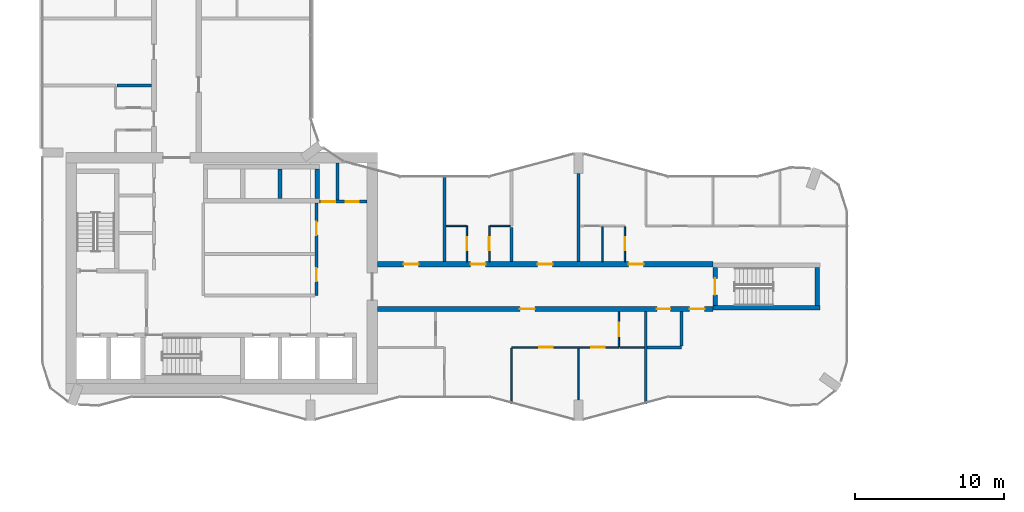
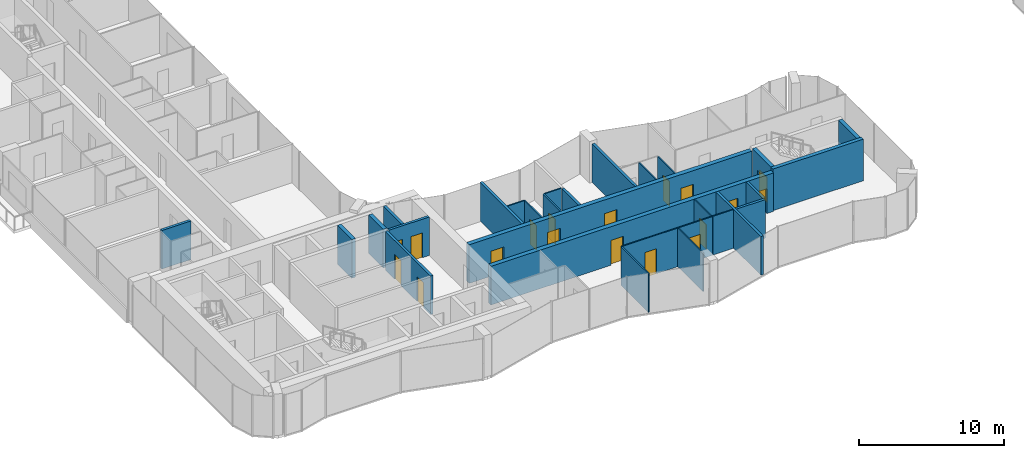
# One storey, part 14 of 22: 28 walls, 18 doors, 18 openings.
"""IFC4 building model written with IfcOpenShell, lengths in metres."""

import ifcopenshell
import ifcopenshell.guid

model = None  # the IFC model being written
_history = None  # IfcOwnerHistory: only IFC2X3 demands one
_inside = {}  # id of a spatial element -> (the spatial element, [elements in it])
_under = {}  # id of a project, library or spatial element -> (it, [spatial elements below it])
_declared = {}  # id of a project -> (the project, [libraries it declares])
_typed = {}  # id of a type object -> (the type object, [elements of that type])
_made_of = {}  # id of a material, layer set ... -> (it, [elements and type objects made of it])


def new_model(schema):
    """Start an empty IFC model of exactly this schema.

    Asked for "IFC4X3", IfcOpenShell would pick the latest addendum, in which some entities
    have other attributes; the version numbers below select the first issue.
    IFC2X3 requires an IfcOwnerHistory on every rooted entity: one is made here for all.
    """
    global model, _history
    if schema == "IFC4X3":
        model = ifcopenshell.file(schema_version=(4, 3, 0, 0))
    else:
        model = ifcopenshell.file(schema=schema)
    _inside.clear()
    _under.clear()
    _declared.clear()
    _typed.clear()
    _made_of.clear()
    _history = None
    if model.schema == "IFC2X3":
        org = make("IfcOrganization", Name="unknown")
        user = make(
            "IfcPersonAndOrganization",
            ThePerson=make("IfcPerson", FamilyName="unknown"),
            TheOrganization=org,
        )
        app = make(
            "IfcApplication",
            ApplicationDeveloper=org,
            Version="unknown",
            ApplicationFullName="unknown",
            ApplicationIdentifier="unknown",
        )
        _history = make(
            "IfcOwnerHistory",
            OwningUser=user,
            OwningApplication=app,
            ChangeAction="ADDED",
            CreationDate=0,
        )
    return model


def make(cls, **values):
    """One entity of the class cls with the attributes given. An attribute that is None is left unset."""
    return model.create_entity(
        cls, **{name: value for name, value in values.items() if value is not None}
    )


def rooted(cls, **values):
    """An entity with a GlobalId (a new one), such as an element, a storey or a relation."""
    return make(cls, GlobalId=ifcopenshell.guid.new(), OwnerHistory=_history, **values)


def si_unit(unit_type, name, prefix=None):
    """IfcSIUnit, for example si_unit("LENGTHUNIT", "METRE", prefix="MILLI")."""
    return make("IfcSIUnit", UnitType=unit_type, Prefix=prefix, Name=name)


def assignment(units):
    """IfcUnitAssignment: the units of a project."""
    return None if units is None else make("IfcUnitAssignment", Units=units)


def point(xyz):
    """IfcCartesianPoint."""
    return None if xyz is None else make("IfcCartesianPoint", Coordinates=xyz)


def direction(xyz):
    """IfcDirection."""
    return None if xyz is None else make("IfcDirection", DirectionRatios=xyz)


def frame(location, z_axis=None, x_axis=None):
    """IfcAxis2Placement3D, a coordinate frame: its origin and axes. An axis left out is left unset."""
    return make(
        "IfcAxis2Placement3D",
        Location=point(location),
        Axis=direction(z_axis),
        RefDirection=direction(x_axis),
    )


def frame_2d(location, x_axis=None):
    """IfcAxis2Placement2D, a coordinate frame in the plane: its origin and x axis."""
    return make(
        "IfcAxis2Placement2D", Location=point(location), RefDirection=direction(x_axis)
    )


def origin():
    """The frame at (0, 0, 0) with its axes left unset."""
    return frame((0.0, 0.0, 0.0))


def place(relative_to, where):
    """IfcLocalPlacement: puts the frame where relative to a parent placement (None: the world)."""
    return make(
        "IfcLocalPlacement", PlacementRelTo=relative_to, RelativePlacement=where
    )


def context(
    kind, dimensions, precision=None, world=None, true_north=None, identifier=None
):
    """IfcGeometricRepresentationContext, for example the 3D "Model" context."""
    return make(
        "IfcGeometricRepresentationContext",
        ContextIdentifier=identifier,
        ContextType=kind,
        CoordinateSpaceDimension=dimensions,
        Precision=precision,
        WorldCoordinateSystem=world,
        TrueNorth=true_north,
    )


def subcontext(parent, identifier, kind, view, scale=None):
    """IfcGeometricRepresentationSubContext, for example "Body" below "Model"."""
    return make(
        "IfcGeometricRepresentationSubContext",
        ContextIdentifier=identifier,
        ContextType=kind,
        ParentContext=parent,
        TargetScale=scale,
        TargetView=view,
    )


def project(units=None, contexts=None):
    """IfcProject with its units and contexts."""
    return rooted(
        "IfcProject",
        Name="project",
        RepresentationContexts=contexts,
        UnitsInContext=assignment(units),
    )


def spatial(cls, under=None, at=None, **own):
    """A site, building, storey or space (cls), placed at a placement, below another one or the project."""
    s = rooted(cls, ObjectPlacement=at, **own)
    if under is not None:
        _under.setdefault(under.id(), (under, []))[1].append(s)
    return s


def profile(cls, at=None, kind="AREA", **sizes):
    """A parametric profile (cls). Its sizes go by their IFC names, for example OverallWidth=200.0."""
    return make(cls, ProfileType=kind, Position=at, **sizes)


def rectangle(**sizes):
    """IfcRectangleProfileDef."""
    return profile("IfcRectangleProfileDef", **sizes)


def extrude(swept, where, along, depth):
    """IfcExtrudedAreaSolid: the profile swept, set in the frame where, extruded along a direction by depth."""
    return make(
        "IfcExtrudedAreaSolid",
        SweptArea=swept,
        Position=where,
        ExtrudedDirection=direction(along),
        Depth=depth,
    )


def shape(context_of_items, identifier, shape_type, items):
    """IfcShapeRepresentation: the items that make up one representation, for example the "Body"."""
    return make(
        "IfcShapeRepresentation",
        ContextOfItems=context_of_items,
        RepresentationIdentifier=identifier,
        RepresentationType=shape_type,
        Items=items,
    )


def material(Name=None, Category=None):
    """IfcMaterial."""
    return make("IfcMaterial", Name=Name, Category=Category)


def layer(
    of_material, thickness, ventilated=None, Name=None, Category=None, Priority=None
):
    """IfcMaterialLayer: one layer of a wall or slab, of a material (None: an air gap)."""
    return make(
        "IfcMaterialLayer",
        Material=of_material,
        LayerThickness=thickness,
        IsVentilated=ventilated,
        Name=Name,
        Category=Category,
        Priority=Priority,
    )


def layer_set(layers, Name=None):
    """IfcMaterialLayerSet."""
    return make("IfcMaterialLayerSet", MaterialLayers=layers, LayerSetName=Name)


def made_of(thing, what):
    """Note that an element or type object is made of a material, layer set ...; save() writes the relation."""
    if what is not None:
        _made_of.setdefault(what.id(), (what, []))[1].append(thing)
    return thing


def type_object(cls, material=None, **own):
    """A type object (cls), such as IfcWallType, which elements share."""
    return made_of(rooted(cls, **own), material)


def element(
    cls,
    number,
    at=None,
    inside=None,
    cuts=None,
    type_object=None,
    material=None,
    context=None,
    identifier="Body",
    shape_type=None,
    held_by="IfcProductDefinitionShape",
    body=None,
    shapes=None,
    **own,
):
    """One element of the class cls, such as IfcWall. Its Tag is "e" and its number.

    at: its placement. inside: the storey or other place that contains it. cuts: it is an
    opening in that element (IfcRelVoidsElement). A single representation is given by context,
    identifier, shape_type and body (its items); several are given by shapes. held_by: the class
    of the entity that holds the representations. save() writes the other relations.
    """
    e = rooted(cls, Tag="e%d" % number, ObjectPlacement=at, **own)
    if body is not None:
        shapes = [shape(context, identifier, shape_type, body)]
    if shapes is not None:
        e.Representation = make(held_by, Representations=shapes)
    if inside is not None:
        _inside.setdefault(inside.id(), (inside, []))[1].append(e)
    if cuts is not None:
        rooted(
            "IfcRelVoidsElement", RelatingBuildingElement=cuts, RelatedOpeningElement=e
        )
    if type_object is not None:
        _typed.setdefault(type_object.id(), (type_object, []))[1].append(e)
    return made_of(e, material)


def fill(opening, filler):
    """IfcRelFillsElement: the door or window that sits in an opening."""
    return rooted(
        "IfcRelFillsElement",
        RelatingOpeningElement=opening,
        RelatedBuildingElement=filler,
    )


def aggregate(whole, parts):
    """IfcRelAggregates: a whole, such as a stair, and the parts it consists of."""
    return rooted("IfcRelAggregates", RelatingObject=whole, RelatedObjects=parts)


def save(model, path):
    """Write the relations noted so far, then the file.

    IfcRelAggregates (storeys below a building ...), IfcRelContainedInSpatialStructure (elements
    in a storey), IfcRelDefinesByType, IfcRelAssociatesMaterial and IfcRelDeclares: one each for
    every whole, place, type object, material and project.
    """
    for whole, parts in _under.values():
        aggregate(whole, parts)
    for where, things in _inside.values():
        rooted(
            "IfcRelContainedInSpatialStructure",
            RelatedElements=things,
            RelatingStructure=where,
        )
    for kind, things in _typed.values():
        rooted("IfcRelDefinesByType", RelatedObjects=things, RelatingType=kind)
    for what, things in _made_of.values():
        rooted("IfcRelAssociatesMaterial", RelatedObjects=things, RelatingMaterial=what)
    for by, libraries in _declared.values():
        rooted("IfcRelDeclares", RelatingContext=by, RelatedDefinitions=libraries)
    model.write(path)


model = new_model("IFC4")

# Units and contexts
model_context = context("Model", 3, precision=1e-05, world=origin(), true_north=direction((0.0, 1.0)))
body_context = subcontext(model_context, "Body", "Model", "MODEL_VIEW")
ifc_project = project(units=[si_unit("LENGTHUNIT", "METRE"), si_unit("AREAUNIT", "SQUARE_METRE"), si_unit("VOLUMEUNIT", "CUBIC_METRE"), si_unit("PLANEANGLEUNIT", "RADIAN"), si_unit("MASSUNIT", "GRAM", prefix="KILO")], contexts=[model_context])

# Site, building, storey
site_placement = place(None, origin())
site = spatial("IfcSite", under=ifc_project, at=site_placement, CompositionType="ELEMENT")
building_placement = place(site_placement, origin())
building = spatial("IfcBuilding", under=site, at=building_placement, Name="Plateau Cross Towers", CompositionType="ELEMENT")
storey_placement = place(building_placement, frame((0.0, 0.0, 65.300048828125)))
storey = spatial("IfcBuildingStorey", under=building, at=storey_placement, Name="L16", CompositionType="ELEMENT", Elevation=65.300048828125)

# Wall, openings, doors
ifc_material_1 = material(Name="Concrete block, plastered both sides", Category="concrete")
ifc_layer_1 = layer(ifc_material_1, 0.199951171875)
ifc_layer_set_1 = layer_set([ifc_layer_1], Name="Concrete block, plastered both sides")
wall_type_1 = type_object("IfcWallType", Name="Core partition 200", PredefinedType="PARTITIONING", material=ifc_layer_set_1)
wall_1_placement = place(storey_placement, frame((18.39990234375, 8.39990234375, 0.0), z_axis=(0.0, 0.0, 1.0), x_axis=(0.0, 1.0, 0.0)))
wall_1 = element("IfcWall", 1, at=wall_1_placement, inside=storey, type_object=wall_type_1, Name="Core partition", PredefinedType="PARTITIONING", context=body_context, shape_type="SweptSolid", body=[
    extrude(rectangle(XDim=6.2001953125, YDim=0.199951171875, at=frame_2d((3.10009765625, 0.0))), origin(), (0.0, 0.0, 1.0), 3.25),
])
opening_1_placement = place(wall_1_placement, frame((0.949951171875, 0.0, 0.0)))
opening_1 = element("IfcOpeningElement", 2, at=opening_1_placement, cuts=wall_1, Name="Opening RD1", PredefinedType="OPENING", context=body_context, shape_type="SweptSolid", body=[
    extrude(rectangle(XDim=0.89990234375, YDim=2.10009765625, at=frame_2d((0.449951171875, 1.050048828125))), frame((0.0, 0.10986328125, 0.0), z_axis=(0.0, -1.0, 0.0), x_axis=(1.0, 0.0, 0.0)), (0.0, 0.0, 1.0), 0.219970703125),
])
opening_2_placement = place(wall_1_placement, frame((4.050048828125, 0.0, 0.0)))
opening_2 = element("IfcOpeningElement", 3, at=opening_2_placement, cuts=wall_1, Name="Opening RD1", PredefinedType="OPENING", context=body_context, shape_type="SweptSolid", body=[
    extrude(rectangle(XDim=0.89990234375, YDim=2.10009765625, at=frame_2d((0.449951171875, 1.050048828125))), frame((0.0, 0.10986328125, 0.0), z_axis=(0.0, -1.0, 0.0), x_axis=(1.0, 0.0, 0.0)), (0.0, 0.0, 1.0), 0.219970703125),
])
ifc_material_2 = material(Name="Timber, fire-resisting leaf", Category="wood")
door_type_1 = type_object("IfcDoorType", Name="Core service door 900", OperationType="NOTDEFINED", PredefinedType="DOOR", material=ifc_material_2)
door_1_placement = place(opening_1_placement, origin())
door_1 = element("IfcDoor", 4, at=door_1_placement, inside=storey, type_object=door_type_1, Name="Core service door RD1", OperationType="SINGLE_SWING_LEFT", OverallHeight=2.10009765625, OverallWidth=0.89990234375, PredefinedType="DOOR", context=body_context, shape_type="SweptSolid", body=[
    extrude(rectangle(XDim=0.89990234375, YDim=2.10009765625, at=frame_2d((0.449951171875, 1.050048828125))), frame((0.0, 0.02490234375, 0.0), z_axis=(0.0, -1.0, 0.0), x_axis=(1.0, 0.0, 0.0)), (0.0, 0.0, 1.0), 0.050048828125),
])
fill(opening_1, door_1)
door_2_placement = place(opening_2_placement, origin())
door_2 = element("IfcDoor", 5, at=door_2_placement, inside=storey, type_object=door_type_1, Name="Core service door RD1", OperationType="SINGLE_SWING_LEFT", OverallHeight=2.10009765625, OverallWidth=0.89990234375, PredefinedType="DOOR", context=body_context, shape_type="SweptSolid", body=[
    extrude(rectangle(XDim=0.89990234375, YDim=2.10009765625, at=frame_2d((0.449951171875, 1.050048828125))), frame((0.0, 0.02490234375, 0.0), z_axis=(0.0, -1.0, 0.0), x_axis=(1.0, 0.0, 0.0)), (0.0, 0.0, 1.0), 0.050048828125),
])
fill(opening_2, door_2)

wall_2_placement = place(storey_placement, frame((18.60009765625, 14.699951171875, 0.0), z_axis=(0.0, 0.0, 1.0), x_axis=(1.0, 0.0, 0.0)))
wall_2 = element("IfcWall", 6, at=wall_2_placement, inside=storey, type_object=wall_type_1, Name="Core partition", PredefinedType="PARTITIONING", context=body_context, shape_type="SweptSolid", body=[
    extrude(rectangle(XDim=3.199951171875, YDim=0.199951171875, at=frame_2d((1.60009765625, 0.0))), origin(), (0.0, 0.0, 1.0), 3.25),
])
opening_3_placement = place(wall_2_placement, frame((0.14990234375, 0.0, 0.0)))
opening_3 = element("IfcOpeningElement", 7, at=opening_3_placement, cuts=wall_2, Name="Opening RD2", PredefinedType="OPENING", context=body_context, shape_type="SweptSolid", body=[
    extrude(rectangle(XDim=0.89990234375, YDim=2.10009765625, at=frame_2d((0.449951171875, 1.050048828125))), frame((0.0, 0.10986328125, 0.0), z_axis=(0.0, -1.0, 0.0), x_axis=(1.0, 0.0, 0.0)), (0.0, 0.0, 1.0), 0.219970703125),
])
opening_4_placement = place(wall_2_placement, frame((1.75, 0.0, 0.0)))
opening_4 = element("IfcOpeningElement", 8, at=opening_4_placement, cuts=wall_2, Name="Opening RD2", PredefinedType="OPENING", context=body_context, shape_type="SweptSolid", body=[
    extrude(rectangle(XDim=0.89990234375, YDim=2.10009765625, at=frame_2d((0.449951171875, 1.050048828125))), frame((0.0, 0.10986328125, 0.0), z_axis=(0.0, -1.0, 0.0), x_axis=(1.0, 0.0, 0.0)), (0.0, 0.0, 1.0), 0.219970703125),
])
ifc_material_3 = material(Name="Steel, fire-resisting leaf", Category="steel")
door_type_2 = type_object("IfcDoorType", Name="Core riser door 900", OperationType="NOTDEFINED", PredefinedType="DOOR", material=ifc_material_3)
door_3_placement = place(opening_3_placement, origin())
door_3 = element("IfcDoor", 9, at=door_3_placement, inside=storey, type_object=door_type_2, Name="Core riser door RD2", OperationType="SINGLE_SWING_LEFT", OverallHeight=2.10009765625, OverallWidth=0.89990234375, PredefinedType="DOOR", context=body_context, shape_type="SweptSolid", body=[
    extrude(rectangle(XDim=0.89990234375, YDim=2.10009765625, at=frame_2d((0.449951171875, 1.050048828125))), frame((0.0, 0.02490234375, 0.0), z_axis=(0.0, -1.0, 0.0), x_axis=(1.0, 0.0, 0.0)), (0.0, 0.0, 1.0), 0.050048828125),
])
fill(opening_3, door_3)
door_4_placement = place(opening_4_placement, origin())
door_4 = element("IfcDoor", 10, at=door_4_placement, inside=storey, type_object=door_type_2, Name="Core riser door RD2", OperationType="SINGLE_SWING_LEFT", OverallHeight=2.10009765625, OverallWidth=0.89990234375, PredefinedType="DOOR", context=body_context, shape_type="SweptSolid", body=[
    extrude(rectangle(XDim=0.89990234375, YDim=2.10009765625, at=frame_2d((0.449951171875, 1.050048828125))), frame((0.0, 0.02490234375, 0.0), z_axis=(0.0, -1.0, 0.0), x_axis=(1.0, 0.0, 0.0)), (0.0, 0.0, 1.0), 0.050048828125),
])
fill(opening_4, door_4)

# Walls
wall_3_placement = place(storey_placement, frame((19.800048828125, 14.800048828125, 0.0), z_axis=(0.0, 0.0, 1.0), x_axis=(0.0, 1.0, 0.0)))
element("IfcWall", 11, at=wall_3_placement, inside=storey, type_object=wall_type_1, Name="Core partition", PredefinedType="PARTITIONING", context=body_context, shape_type="SweptSolid", body=[
    extrude(rectangle(XDim=2.5, YDim=0.199951171875, at=frame_2d((1.25, 0.0))), origin(), (0.0, 0.0, 1.0), 3.25),
])
ifc_material_4 = material(Name="Concrete C60/75", Category="concrete")
ifc_layer_2 = layer(ifc_material_4, 0.300048828125)
ifc_layer_set_2 = layer_set([ifc_layer_2], Name="Concrete C60/75")
wall_type_2 = type_object("IfcWallType", Name="Core shaft wall 300", PredefinedType="SHEAR", material=ifc_layer_set_2)
for number, where, z_axis, x_axis, name in (
    (12, (15.949951171875, 14.89990234375, 0.0), (0.0, 0.0, 1.0), (0.0, 1.0, 0.0), "A-nb-v3@L16"),
    (13, (18.449951171875, 14.89990234375, 0.0), (0.0, 0.0, 1.0), (0.0, 1.0, 0.0), "A-nb-v4@L16"),
):
    element("IfcWall", number, at=place(storey_placement, frame(where, z_axis=z_axis, x_axis=x_axis)), inside=storey, type_object=wall_type_2, Name=name, PredefinedType="SHEAR", context=body_context, shape_type="SweptSolid", body=[
        extrude(rectangle(XDim=2.0, YDim=0.300048828125, at=frame_2d((1.0, 0.0))), origin(), (0.0, 0.0, 1.0), 3.25),
    ])

# Wall, openings, doors
ifc_layer_3 = layer(ifc_material_4, 0.35009765625)
ifc_layer_set_3 = layer_set([ifc_layer_3], Name="Concrete C60/75")
wall_type_3 = type_object("IfcWallType", Name="Corridor wall 350", PredefinedType="SHEAR", material=ifc_layer_set_3)
wall_4_placement = place(storey_placement, frame((22.5, 7.5, 0.0), z_axis=(0.0, 0.0, 1.0), x_axis=(1.0, 0.0, 0.0)))
wall_4 = element("IfcWall", 14, at=wall_4_placement, inside=storey, type_object=wall_type_3, Name="A-cw-S1@L16", PredefinedType="SHEAR", context=body_context, shape_type="SweptSolid", body=[
    extrude(rectangle(XDim=22.5, YDim=0.35009765625, at=frame_2d((11.25, 0.0))), origin(), (0.0, 0.0, 1.0), 3.25),
])
opening_5_placement = place(wall_4_placement, frame((9.550048828125, 0.0, 0.0)))
opening_5 = element("IfcOpeningElement", 15, at=opening_5_placement, cuts=wall_4, Name="Opening 16-01", PredefinedType="OPENING", context=body_context, shape_type="SweptSolid", body=[
    extrude(rectangle(XDim=1.0, YDim=2.10009765625, at=frame_2d((0.5, 1.050048828125))), frame((0.0, 0.18505859375, 0.0), z_axis=(0.0, -1.0, 0.0), x_axis=(1.0, 0.0, 0.0)), (0.0, 0.0, 1.0), 0.3701171875),
])
opening_6_placement = place(wall_4_placement, frame((18.75, 0.0, 0.0)))
opening_6 = element("IfcOpeningElement", 16, at=opening_6_placement, cuts=wall_4, Name="Opening 16-02", PredefinedType="OPENING", context=body_context, shape_type="SweptSolid", body=[
    extrude(rectangle(XDim=0.89990234375, YDim=2.10009765625, at=frame_2d((0.449951171875, 1.050048828125))), frame((0.0, 0.18505859375, 0.0), z_axis=(0.0, -1.0, 0.0), x_axis=(1.0, 0.0, 0.0)), (0.0, 0.0, 1.0), 0.3701171875),
])
opening_7_placement = place(wall_4_placement, frame((20.949951171875, 0.0, 0.0)))
opening_7 = element("IfcOpeningElement", 17, at=opening_7_placement, cuts=wall_4, Name="Opening 16-03", PredefinedType="OPENING", context=body_context, shape_type="SweptSolid", body=[
    extrude(rectangle(XDim=1.0, YDim=2.10009765625, at=frame_2d((0.5, 1.050048828125))), frame((0.0, 0.18505859375, 0.0), z_axis=(0.0, -1.0, 0.0), x_axis=(1.0, 0.0, 0.0)), (0.0, 0.0, 1.0), 0.3701171875),
])
door_type_3 = type_object("IfcDoorType", Name="Flat entrance door 1000", OperationType="NOTDEFINED", PredefinedType="DOOR", material=ifc_material_2)
door_5_placement = place(opening_5_placement, origin())
door_5 = element("IfcDoor", 18, at=door_5_placement, inside=storey, type_object=door_type_3, Name="Door 16-01", OperationType="SINGLE_SWING_LEFT", OverallHeight=2.10009765625, OverallWidth=1.0, PredefinedType="DOOR", context=body_context, shape_type="SweptSolid", body=[
    extrude(rectangle(XDim=1.0, YDim=2.10009765625, at=frame_2d((0.5, 1.050048828125))), frame((0.0, 0.02490234375, 0.0), z_axis=(0.0, -1.0, 0.0), x_axis=(1.0, 0.0, 0.0)), (0.0, 0.0, 1.0), 0.050048828125),
])
fill(opening_5, door_5)
door_6_placement = place(opening_7_placement, origin())
door_6 = element("IfcDoor", 19, at=door_6_placement, inside=storey, type_object=door_type_3, Name="Door 16-03", OperationType="SINGLE_SWING_RIGHT", OverallHeight=2.10009765625, OverallWidth=1.0, PredefinedType="DOOR", context=body_context, shape_type="SweptSolid", body=[
    extrude(rectangle(XDim=1.0, YDim=2.10009765625, at=frame_2d((0.5, 1.050048828125))), frame((0.0, 0.02490234375, 0.0), z_axis=(0.0, -1.0, 0.0), x_axis=(1.0, 0.0, 0.0)), (0.0, 0.0, 1.0), 0.050048828125),
])
fill(opening_7, door_6)
door_type_4 = type_object("IfcDoorType", Name="Flat floor service door 900", OperationType="NOTDEFINED", PredefinedType="DOOR", material=ifc_material_2)
door_7_placement = place(opening_6_placement, origin())
door_7 = element("IfcDoor", 20, at=door_7_placement, inside=storey, type_object=door_type_4, Name="Door 16-02", OperationType="SINGLE_SWING_RIGHT", OverallHeight=2.10009765625, OverallWidth=0.89990234375, PredefinedType="DOOR", context=body_context, shape_type="SweptSolid", body=[
    extrude(rectangle(XDim=0.89990234375, YDim=2.10009765625, at=frame_2d((0.449951171875, 1.050048828125))), frame((0.0, 0.02490234375, 0.0), z_axis=(0.0, -1.0, 0.0), x_axis=(1.0, 0.0, 0.0)), (0.0, 0.0, 1.0), 0.050048828125),
])
fill(opening_6, door_7)

wall_5_placement = place(storey_placement, frame((22.5, 10.5, 0.0), z_axis=(0.0, 0.0, 1.0), x_axis=(1.0, 0.0, 0.0)))
wall_5 = element("IfcWall", 21, at=wall_5_placement, inside=storey, type_object=wall_type_3, Name="A-cw-S2@L16", PredefinedType="SHEAR", context=body_context, shape_type="SweptSolid", body=[
    extrude(rectangle(XDim=22.5, YDim=0.35009765625, at=frame_2d((11.25, 0.0))), origin(), (0.0, 0.0, 1.0), 3.25),
])
opening_8_placement = place(wall_5_placement, frame((1.75, 0.0, 0.0)))
opening_8 = element("IfcOpeningElement", 22, at=opening_8_placement, cuts=wall_5, Name="Opening 16-04", PredefinedType="OPENING", context=body_context, shape_type="SweptSolid", body=[
    extrude(rectangle(XDim=1.0, YDim=2.10009765625, at=frame_2d((0.5, 1.050048828125))), frame((0.0, 0.18505859375, 0.0), z_axis=(0.0, -1.0, 0.0), x_axis=(1.0, 0.0, 0.0)), (0.0, 0.0, 1.0), 0.3701171875),
])
opening_9_placement = place(wall_5_placement, frame((6.25, 0.0, 0.0)))
opening_9 = element("IfcOpeningElement", 23, at=opening_9_placement, cuts=wall_5, Name="Opening 16-05", PredefinedType="OPENING", context=body_context, shape_type="SweptSolid", body=[
    extrude(rectangle(XDim=1.0, YDim=2.10009765625, at=frame_2d((0.5, 1.050048828125))), frame((0.0, 0.18505859375, 0.0), z_axis=(0.0, -1.0, 0.0), x_axis=(1.0, 0.0, 0.0)), (0.0, 0.0, 1.0), 0.3701171875),
])
opening_10_placement = place(wall_5_placement, frame((10.75, 0.0, 0.0)))
opening_10 = element("IfcOpeningElement", 24, at=opening_10_placement, cuts=wall_5, Name="Opening 16-06", PredefinedType="OPENING", context=body_context, shape_type="SweptSolid", body=[
    extrude(rectangle(XDim=1.0, YDim=2.10009765625, at=frame_2d((0.5, 1.050048828125))), frame((0.0, 0.18505859375, 0.0), z_axis=(0.0, -1.0, 0.0), x_axis=(1.0, 0.0, 0.0)), (0.0, 0.0, 1.0), 0.3701171875),
])
opening_11_placement = place(wall_5_placement, frame((16.85009765625, 0.0, 0.0)))
opening_11 = element("IfcOpeningElement", 25, at=opening_11_placement, cuts=wall_5, Name="Opening 16-07", PredefinedType="OPENING", context=body_context, shape_type="SweptSolid", body=[
    extrude(rectangle(XDim=1.0, YDim=2.10009765625, at=frame_2d((0.5, 1.050048828125))), frame((0.0, 0.18505859375, 0.0), z_axis=(0.0, -1.0, 0.0), x_axis=(1.0, 0.0, 0.0)), (0.0, 0.0, 1.0), 0.3701171875),
])
door_8_placement = place(opening_8_placement, origin())
door_8 = element("IfcDoor", 26, at=door_8_placement, inside=storey, type_object=door_type_3, Name="Door 16-04", OperationType="SINGLE_SWING_LEFT", OverallHeight=2.10009765625, OverallWidth=1.0, PredefinedType="DOOR", context=body_context, shape_type="SweptSolid", body=[
    extrude(rectangle(XDim=1.0, YDim=2.10009765625, at=frame_2d((0.5, 1.050048828125))), frame((0.0, 0.02490234375, 0.0), z_axis=(0.0, -1.0, 0.0), x_axis=(1.0, 0.0, 0.0)), (0.0, 0.0, 1.0), 0.050048828125),
])
fill(opening_8, door_8)
door_9_placement = place(opening_9_placement, origin())
door_9 = element("IfcDoor", 27, at=door_9_placement, inside=storey, type_object=door_type_3, Name="Door 16-05", OperationType="SINGLE_SWING_LEFT", OverallHeight=2.10009765625, OverallWidth=1.0, PredefinedType="DOOR", context=body_context, shape_type="SweptSolid", body=[
    extrude(rectangle(XDim=1.0, YDim=2.10009765625, at=frame_2d((0.5, 1.050048828125))), frame((0.0, 0.02490234375, 0.0), z_axis=(0.0, -1.0, 0.0), x_axis=(1.0, 0.0, 0.0)), (0.0, 0.0, 1.0), 0.050048828125),
])
fill(opening_9, door_9)
door_10_placement = place(opening_10_placement, origin())
door_10 = element("IfcDoor", 28, at=door_10_placement, inside=storey, type_object=door_type_3, Name="Door 16-06", OperationType="SINGLE_SWING_LEFT", OverallHeight=2.10009765625, OverallWidth=1.0, PredefinedType="DOOR", context=body_context, shape_type="SweptSolid", body=[
    extrude(rectangle(XDim=1.0, YDim=2.10009765625, at=frame_2d((0.5, 1.050048828125))), frame((0.0, 0.02490234375, 0.0), z_axis=(0.0, -1.0, 0.0), x_axis=(1.0, 0.0, 0.0)), (0.0, 0.0, 1.0), 0.050048828125),
])
fill(opening_10, door_10)
door_11_placement = place(opening_11_placement, origin())
door_11 = element("IfcDoor", 29, at=door_11_placement, inside=storey, type_object=door_type_3, Name="Door 16-07", OperationType="SINGLE_SWING_RIGHT", OverallHeight=2.10009765625, OverallWidth=1.0, PredefinedType="DOOR", context=body_context, shape_type="SweptSolid", body=[
    extrude(rectangle(XDim=1.0, YDim=2.10009765625, at=frame_2d((0.5, 1.050048828125))), frame((0.0, 0.02490234375, 0.0), z_axis=(0.0, -1.0, 0.0), x_axis=(1.0, 0.0, 0.0)), (0.0, 0.0, 1.0), 0.050048828125),
])
fill(opening_11, door_11)

ifc_material_5 = material(Name="Gypsum board on steel studs", Category="steel")
ifc_layer_4 = layer(ifc_material_5, 0.10009765625)
ifc_layer_set_4 = layer_set([ifc_layer_4], Name="Gypsum board on steel studs")
wall_type_4 = type_object("IfcWallType", Name="Flat partition 100", PredefinedType="PARTITIONING", material=ifc_layer_set_4)
wall_6_placement = place(storey_placement, frame((38.699951171875, 4.925048828125, 0.0), z_axis=(0.0, 0.0, 1.0), x_axis=(-1.0, 0.0, 0.0)))
wall_6 = element("IfcWall", 30, at=wall_6_placement, inside=storey, type_object=wall_type_4, Name="Partition wall", PredefinedType="PARTITIONING", context=body_context, shape_type="SweptSolid", body=[
    extrude(rectangle(XDim=7.199951171875, YDim=0.10009765625, at=frame_2d((3.60009765625, 0.0))), origin(), (0.0, 0.0, 1.0), 3.25),
])
opening_12_placement = place(wall_6_placement, frame((4.449951171875, 0.0, 0.0)))
opening_12 = element("IfcOpeningElement", 31, at=opening_12_placement, cuts=wall_6, Name="Opening 16-20", PredefinedType="OPENING", context=body_context, shape_type="SweptSolid", body=[
    extrude(rectangle(XDim=0.89990234375, YDim=2.10009765625, at=frame_2d((0.449951171875, 1.050048828125))), frame((0.0, 0.06005859375, 0.0), z_axis=(0.0, -1.0, 0.0), x_axis=(1.0, 0.0, 0.0)), (0.0, 0.0, 1.0), 0.1201171875),
])
opening_13_placement = place(wall_6_placement, frame((0.949951171875, 0.0, 0.0)))
opening_13 = element("IfcOpeningElement", 32, at=opening_13_placement, cuts=wall_6, Name="Opening 16-21", PredefinedType="OPENING", context=body_context, shape_type="SweptSolid", body=[
    extrude(rectangle(XDim=0.89990234375, YDim=2.10009765625, at=frame_2d((0.449951171875, 1.050048828125))), frame((0.0, 0.06005859375, 0.0), z_axis=(0.0, -1.0, 0.0), x_axis=(1.0, 0.0, 0.0)), (0.0, 0.0, 1.0), 0.1201171875),
])
ifc_material_6 = material(Name="Timber leaf", Category="wood")
door_type_5 = type_object("IfcDoorType", Name="Flat room door 900", OperationType="NOTDEFINED", PredefinedType="DOOR", material=ifc_material_6)
door_12_placement = place(opening_12_placement, origin())
door_12 = element("IfcDoor", 33, at=door_12_placement, inside=storey, type_object=door_type_5, Name="Door 16-20", OperationType="SINGLE_SWING_RIGHT", OverallHeight=2.10009765625, OverallWidth=0.89990234375, PredefinedType="DOOR", context=body_context, shape_type="SweptSolid", body=[
    extrude(rectangle(XDim=0.89990234375, YDim=2.10009765625, at=frame_2d((0.449951171875, 1.050048828125))), frame((0.0, 0.02490234375, 0.0), z_axis=(0.0, -1.0, 0.0), x_axis=(1.0, 0.0, 0.0)), (0.0, 0.0, 1.0), 0.050048828125),
])
fill(opening_12, door_12)
door_13_placement = place(opening_13_placement, origin())
door_13 = element("IfcDoor", 34, at=door_13_placement, inside=storey, type_object=door_type_5, Name="Door 16-21", OperationType="SINGLE_SWING_LEFT", OverallHeight=2.10009765625, OverallWidth=0.89990234375, PredefinedType="DOOR", context=body_context, shape_type="SweptSolid", body=[
    extrude(rectangle(XDim=0.89990234375, YDim=2.10009765625, at=frame_2d((0.449951171875, 1.050048828125))), frame((0.0, 0.02490234375, 0.0), z_axis=(0.0, -1.0, 0.0), x_axis=(1.0, 0.0, 0.0)), (0.0, 0.0, 1.0), 0.050048828125),
])
fill(opening_13, door_13)

# Walls
wall_7_placement = place(storey_placement, frame((38.75, 4.925048828125, 0.0), z_axis=(0.0, 0.0, 1.0), x_axis=(1.0, 0.0, 0.0)))
element("IfcWall", 35, at=wall_7_placement, inside=storey, type_object=wall_type_4, Name="Partition wall", PredefinedType="PARTITIONING", context=body_context, shape_type="SweptSolid", body=[
    extrude(rectangle(XDim=1.64990234375, YDim=0.10009765625, at=frame_2d((0.824951171875, 0.0))), origin(), (0.0, 0.0, 1.0), 3.25),
])
for number, where, z_axis, x_axis, name in (
    (36, (28.449951171875, 13.074951171875, 0.0), (0.0, 0.0, 1.0), (-1.0, 0.0, 0.0), "Partition wall"),
    (37, (31.39990234375, 13.074951171875, 0.0), (0.0, 0.0, 1.0), (-1.0, 0.0, 0.0), "Partition wall"),
):
    element("IfcWall", number, at=place(storey_placement, frame(where, z_axis=z_axis, x_axis=x_axis)), inside=storey, type_object=wall_type_4, Name=name, PredefinedType="PARTITIONING", context=body_context, shape_type="SweptSolid", body=[
        extrude(rectangle(XDim=1.349853515625, YDim=0.10009765625, at=frame_2d((0.6748046875, 0.0))), origin(), (0.0, 0.0, 1.0), 3.25),
    ])

# Wall, opening, door
wall_8_placement = place(storey_placement, frame((28.5, 10.675048828125, 0.0), z_axis=(0.0, 0.0, 1.0), x_axis=(0.0, 1.0, 0.0)))
wall_8 = element("IfcWall", 38, at=wall_8_placement, inside=storey, type_object=wall_type_4, Name="Partition wall", PredefinedType="PARTITIONING", context=body_context, shape_type="SweptSolid", body=[
    extrude(rectangle(XDim=2.39990234375, YDim=0.10009765625, at=frame_2d((1.199951171875, 0.0))), origin(), (0.0, 0.0, 1.0), 3.25),
])
opening_14_placement = place(wall_8_placement, frame((0.75, 0.0, 0.0)))
opening_14 = element("IfcOpeningElement", 39, at=opening_14_placement, cuts=wall_8, Name="Opening 16-22", PredefinedType="OPENING", context=body_context, shape_type="SweptSolid", body=[
    extrude(rectangle(XDim=0.89990234375, YDim=2.10009765625, at=frame_2d((0.449951171875, 1.050048828125))), frame((0.0, 0.06005859375, 0.0), z_axis=(0.0, -1.0, 0.0), x_axis=(1.0, 0.0, 0.0)), (0.0, 0.0, 1.0), 0.1201171875),
])
door_14_placement = place(opening_14_placement, origin())
door_14 = element("IfcDoor", 40, at=door_14_placement, inside=storey, type_object=door_type_5, Name="Door 16-22", OperationType="SINGLE_SWING_RIGHT", OverallHeight=2.10009765625, OverallWidth=0.89990234375, PredefinedType="DOOR", context=body_context, shape_type="SweptSolid", body=[
    extrude(rectangle(XDim=0.89990234375, YDim=2.10009765625, at=frame_2d((0.449951171875, 1.050048828125))), frame((0.0, 0.02490234375, 0.0), z_axis=(0.0, -1.0, 0.0), x_axis=(1.0, 0.0, 0.0)), (0.0, 0.0, 1.0), 0.050048828125),
])
fill(opening_14, door_14)

wall_9_placement = place(storey_placement, frame((30.0, 13.074951171875, 0.0), z_axis=(0.0, 0.0, 1.0), x_axis=(0.0, -1.0, 0.0)))
wall_9 = element("IfcWall", 41, at=wall_9_placement, inside=storey, type_object=wall_type_4, Name="Partition wall", PredefinedType="PARTITIONING", context=body_context, shape_type="SweptSolid", body=[
    extrude(rectangle(XDim=2.39990234375, YDim=0.10009765625, at=frame_2d((1.199951171875, 0.0))), origin(), (0.0, 0.0, 1.0), 3.25),
])
opening_15_placement = place(wall_9_placement, frame((0.75, 0.0, 0.0)))
opening_15 = element("IfcOpeningElement", 42, at=opening_15_placement, cuts=wall_9, Name="Opening 16-23", PredefinedType="OPENING", context=body_context, shape_type="SweptSolid", body=[
    extrude(rectangle(XDim=0.89990234375, YDim=2.10009765625, at=frame_2d((0.449951171875, 1.050048828125))), frame((0.0, 0.06005859375, 0.0), z_axis=(0.0, -1.0, 0.0), x_axis=(1.0, 0.0, 0.0)), (0.0, 0.0, 1.0), 0.1201171875),
])
door_15_placement = place(opening_15_placement, origin())
door_15 = element("IfcDoor", 43, at=door_15_placement, inside=storey, type_object=door_type_5, Name="Door 16-23", OperationType="SINGLE_SWING_RIGHT", OverallHeight=2.10009765625, OverallWidth=0.89990234375, PredefinedType="DOOR", context=body_context, shape_type="SweptSolid", body=[
    extrude(rectangle(XDim=0.89990234375, YDim=2.10009765625, at=frame_2d((0.449951171875, 1.050048828125))), frame((0.0, 0.02490234375, 0.0), z_axis=(0.0, -1.0, 0.0), x_axis=(1.0, 0.0, 0.0)), (0.0, 0.0, 1.0), 0.050048828125),
])
fill(opening_15, door_15)

# Walls
wall_10_placement = place(storey_placement, frame((31.5, 4.875, 0.0), z_axis=(0.0, 0.0, 1.0), x_axis=(0.0, -1.0, 0.0)))
element("IfcWall", 44, at=wall_10_placement, inside=storey, type_object=wall_type_4, Name="Partition wall", PredefinedType="PARTITIONING", context=body_context, shape_type="SweptSolid", body=[
    extrude(rectangle(XDim=3.752685546875, YDim=0.10009765625, at=frame_2d((1.87646484375, 0.0))), origin(), (0.0, 0.0, 1.0), 3.25),
])
wall_11_placement = place(storey_placement, frame((36.0, 1.39990234375, 0.0), z_axis=(0.0, 0.0, 1.0), x_axis=(0.0, 1.0, 0.0)))
element("IfcWall", 45, at=wall_11_placement, inside=storey, type_object=wall_type_4, Name="Partition wall", PredefinedType="PARTITIONING", context=body_context, shape_type="SweptSolid", body=[
    extrude(rectangle(XDim=3.47509765625, YDim=0.10009765625, at=frame_2d((1.737548828125, 0.0))), origin(), (0.0, 0.0, 1.0), 3.25),
])
wall_12_placement = place(storey_placement, frame((37.60009765625, 10.675048828125, 0.0), z_axis=(0.0, 0.0, 1.0), x_axis=(0.0, 1.0, 0.0)))
element("IfcWall", 46, at=wall_12_placement, inside=storey, type_object=wall_type_4, Name="Partition wall", PredefinedType="PARTITIONING", context=body_context, shape_type="SweptSolid", body=[
    extrude(rectangle(XDim=2.349853515625, YDim=0.10009765625, at=frame_2d((1.1748046875, 0.0))), origin(), (0.0, 0.0, 1.0), 3.25),
])

# Wall, opening, door
wall_13_placement = place(storey_placement, frame((38.699951171875, 7.324951171875, 0.0), z_axis=(0.0, 0.0, 1.0), x_axis=(0.0, -1.0, 0.0)))
wall_13 = element("IfcWall", 47, at=wall_13_placement, inside=storey, type_object=wall_type_4, Name="Partition wall", PredefinedType="PARTITIONING", context=body_context, shape_type="SweptSolid", body=[
    extrude(rectangle(XDim=2.349853515625, YDim=0.10009765625, at=frame_2d((1.1748046875, 0.0))), origin(), (0.0, 0.0, 1.0), 3.25),
])
opening_16_placement = place(wall_13_placement, frame((0.75, 0.0, 0.0)))
opening_16 = element("IfcOpeningElement", 48, at=opening_16_placement, cuts=wall_13, Name="Opening 16-18", PredefinedType="OPENING", context=body_context, shape_type="SweptSolid", body=[
    extrude(rectangle(XDim=0.89990234375, YDim=2.10009765625, at=frame_2d((0.449951171875, 1.050048828125))), frame((0.0, 0.06005859375, 0.0), z_axis=(0.0, -1.0, 0.0), x_axis=(1.0, 0.0, 0.0)), (0.0, 0.0, 1.0), 0.1201171875),
])
door_16_placement = place(opening_16_placement, origin())
door_16 = element("IfcDoor", 49, at=door_16_placement, inside=storey, type_object=door_type_5, Name="Door 16-18", OperationType="SINGLE_SWING_RIGHT", OverallHeight=2.10009765625, OverallWidth=0.89990234375, PredefinedType="DOOR", context=body_context, shape_type="SweptSolid", body=[
    extrude(rectangle(XDim=0.89990234375, YDim=2.10009765625, at=frame_2d((0.449951171875, 1.050048828125))), frame((0.0, 0.02490234375, 0.0), z_axis=(0.0, -1.0, 0.0), x_axis=(1.0, 0.0, 0.0)), (0.0, 0.0, 1.0), 0.050048828125),
])
fill(opening_16, door_16)

wall_14_placement = place(storey_placement, frame((39.10009765625, 10.675048828125, 0.0), z_axis=(0.0, 0.0, 1.0), x_axis=(0.0, 1.0, 0.0)))
wall_14 = element("IfcWall", 50, at=wall_14_placement, inside=storey, type_object=wall_type_4, Name="Partition wall", PredefinedType="PARTITIONING", context=body_context, shape_type="SweptSolid", body=[
    extrude(rectangle(XDim=2.349853515625, YDim=0.10009765625, at=frame_2d((1.1748046875, 0.0))), origin(), (0.0, 0.0, 1.0), 3.25),
])
opening_17_placement = place(wall_14_placement, frame((0.75, 0.0, 0.0)))
opening_17 = element("IfcOpeningElement", 51, at=opening_17_placement, cuts=wall_14, Name="Opening 16-25", PredefinedType="OPENING", context=body_context, shape_type="SweptSolid", body=[
    extrude(rectangle(XDim=0.89990234375, YDim=2.10009765625, at=frame_2d((0.449951171875, 1.050048828125))), frame((0.0, 0.06005859375, 0.0), z_axis=(0.0, -1.0, 0.0), x_axis=(1.0, 0.0, 0.0)), (0.0, 0.0, 1.0), 0.1201171875),
])
door_17_placement = place(opening_17_placement, origin())
door_17 = element("IfcDoor", 52, at=door_17_placement, inside=storey, type_object=door_type_5, Name="Door 16-25", OperationType="SINGLE_SWING_RIGHT", OverallHeight=2.10009765625, OverallWidth=0.89990234375, PredefinedType="DOOR", context=body_context, shape_type="SweptSolid", body=[
    extrude(rectangle(XDim=0.89990234375, YDim=2.10009765625, at=frame_2d((0.449951171875, 1.050048828125))), frame((0.0, 0.02490234375, 0.0), z_axis=(0.0, -1.0, 0.0), x_axis=(1.0, 0.0, 0.0)), (0.0, 0.0, 1.0), 0.050048828125),
])
fill(opening_17, door_17)

# Walls
ifc_material_7 = material(Name="Gypsum board on steel studs, two layers each side", Category="steel")
ifc_layer_5 = layer(ifc_material_7, 0.199951171875)
ifc_layer_set_5 = layer_set([ifc_layer_5], Name="Gypsum board on steel studs, two layers each side")
wall_type_5 = type_object("IfcWallType", Name="Flat party wall 200", PredefinedType="PARTITIONING", material=ifc_layer_set_5)
wall_15_placement = place(storey_placement, frame((40.60009765625, 4.925048828125, 0.0), z_axis=(0.0, 0.0, 1.0), x_axis=(1.0, 0.0, 0.0)))
element("IfcWall", 53, at=wall_15_placement, inside=storey, type_object=wall_type_5, Name="Party wall", PredefinedType="PARTITIONING", context=body_context, shape_type="SweptSolid", body=[
    extrude(rectangle(XDim=2.2998046875, YDim=0.199951171875, at=frame_2d((1.14990234375, 0.0))), origin(), (0.0, 0.0, 1.0), 3.25),
])
wall_16_placement = place(storey_placement, frame((7.324951171875, 22.5, 0.0), z_axis=(0.0, 0.0, 1.0), x_axis=(-1.0, 0.0, 0.0)))
element("IfcWall", 54, at=wall_16_placement, inside=storey, type_object=wall_type_5, Name="Party wall", PredefinedType="PARTITIONING", context=body_context, shape_type="SweptSolid", body=[
    extrude(rectangle(XDim=2.300048828125, YDim=0.199951171875, at=frame_2d((1.14990234375, 0.0))), origin(), (0.0, 0.0, 1.0), 3.25),
])
wall_17_placement = place(storey_placement, frame((27.0, 10.675048828125, 0.0), z_axis=(0.0, 0.0, 1.0), x_axis=(0.0, 1.0, 0.0)))
element("IfcWall", 55, at=wall_17_placement, inside=storey, type_object=wall_type_5, Name="Party wall", PredefinedType="PARTITIONING", context=body_context, shape_type="SweptSolid", body=[
    extrude(rectangle(XDim=5.798095703125, YDim=0.199951171875, at=frame_2d((2.89892578125, 0.0))), origin(), (0.0, 0.0, 1.0), 3.25),
])
wall_18_placement = place(storey_placement, frame((31.5, 10.675048828125, 0.0), z_axis=(0.0, 0.0, 1.0), x_axis=(0.0, 1.0, 0.0)))
element("IfcWall", 56, at=wall_18_placement, inside=storey, type_object=wall_type_5, Name="Party wall", PredefinedType="PARTITIONING", context=body_context, shape_type="SweptSolid", body=[
    extrude(rectangle(XDim=2.300048828125, YDim=0.199951171875, at=frame_2d((1.14990234375, 0.0))), origin(), (0.0, 0.0, 1.0), 3.25),
])
wall_19_placement = place(storey_placement, frame((36.0, 10.675048828125, 0.0), z_axis=(0.0, 0.0, 1.0), x_axis=(0.0, 1.0, 0.0)))
element("IfcWall", 57, at=wall_19_placement, inside=storey, type_object=wall_type_5, Name="Party wall", PredefinedType="PARTITIONING", context=body_context, shape_type="SweptSolid", body=[
    extrude(rectangle(XDim=5.925048828125, YDim=0.199951171875, at=frame_2d((2.96240234375, 0.0))), origin(), (0.0, 0.0, 1.0), 3.25),
])
wall_20_placement = place(storey_placement, frame((40.5, 1.122314453125, 0.0), z_axis=(0.0, 0.0, 1.0), x_axis=(0.0, 1.0, 0.0)))
element("IfcWall", 58, at=wall_20_placement, inside=storey, type_object=wall_type_5, Name="Party wall", PredefinedType="PARTITIONING", context=body_context, shape_type="SweptSolid", body=[
    extrude(rectangle(XDim=6.20263671875, YDim=0.199951171875, at=frame_2d((3.101318359375, 0.0))), origin(), (0.0, 0.0, 1.0), 3.25),
])
wall_21_placement = place(storey_placement, frame((42.89990234375, 5.02490234375, 0.0), z_axis=(0.0, 0.0, 1.0), x_axis=(0.0, 1.0, 0.0)))
element("IfcWall", 59, at=wall_21_placement, inside=storey, type_object=wall_type_5, Name="Party wall", PredefinedType="PARTITIONING", context=body_context, shape_type="SweptSolid", body=[
    extrude(rectangle(XDim=2.300048828125, YDim=0.199951171875, at=frame_2d((1.14990234375, 0.0))), origin(), (0.0, 0.0, 1.0), 3.25),
])

# Wall, opening, door
ifc_layer_6 = layer(ifc_material_4, 0.300048828125)
ifc_layer_set_6 = layer_set([ifc_layer_6], Name="Concrete C60/75")
wall_type_6 = type_object("IfcWallType", Name="Stair tower wall 300", PredefinedType="SHEAR", material=ifc_layer_set_6)
wall_22_placement = place(storey_placement, frame((45.14990234375, 7.72509765625, 0.0), z_axis=(0.0, 0.0, 1.0), x_axis=(0.0, 1.0, 0.0)))
wall_22 = element("IfcWall", 60, at=wall_22_placement, inside=storey, type_object=wall_type_6, Name="A-end-E-W@L16", PredefinedType="SHEAR", context=body_context, shape_type="SweptSolid", body=[
    extrude(rectangle(XDim=2.5498046875, YDim=0.300048828125, at=frame_2d((1.27490234375, 0.0))), origin(), (0.0, 0.0, 1.0), 3.5),
])
opening_18_placement = place(wall_22_placement, frame((0.72509765625, 0.0, 0.0)))
opening_18 = element("IfcOpeningElement", 61, at=opening_18_placement, cuts=wall_22, Name="Opening SD", PredefinedType="OPENING", context=body_context, shape_type="SweptSolid", body=[
    extrude(rectangle(XDim=1.10009765625, YDim=2.10009765625, at=frame_2d((0.550048828125, 1.050048828125))), frame((0.0, 0.159912109375, 0.0), z_axis=(0.0, -1.0, 0.0), x_axis=(1.0, 0.0, 0.0)), (0.0, 0.0, 1.0), 0.320068359375),
])
door_type_6 = type_object("IfcDoorType", Name="Stair door 1100", OperationType="NOTDEFINED", PredefinedType="DOOR", material=ifc_material_3)
door_18_placement = place(opening_18_placement, origin())
door_18 = element("IfcDoor", 62, at=door_18_placement, inside=storey, type_object=door_type_6, Name="Stair door SD", OperationType="SINGLE_SWING_LEFT", OverallHeight=2.10009765625, OverallWidth=1.10009765625, PredefinedType="DOOR", context=body_context, shape_type="SweptSolid", body=[
    extrude(rectangle(XDim=1.10009765625, YDim=2.10009765625, at=frame_2d((0.550048828125, 1.050048828125))), frame((0.0, 0.02490234375, 0.0), z_axis=(0.0, -1.0, 0.0), x_axis=(1.0, 0.0, 0.0)), (0.0, 0.0, 1.0), 0.050048828125),
])
fill(opening_18, door_18)

# Walls
wall_23_placement = place(storey_placement, frame((52.0, 7.72509765625, 0.0), z_axis=(0.0, 0.0, 1.0), x_axis=(0.0, 1.0, 0.0)))
element("IfcWall", 63, at=wall_23_placement, inside=storey, type_object=wall_type_6, Name="A-end-E-E@L16", PredefinedType="SHEAR", context=body_context, shape_type="SweptSolid", body=[
    extrude(rectangle(XDim=2.5498046875, YDim=0.300048828125, at=frame_2d((1.27490234375, 0.0))), origin(), (0.0, 0.0, 1.0), 3.5),
])
wall_24_placement = place(storey_placement, frame((45.0, 7.574951171875, 0.0), z_axis=(0.0, 0.0, 1.0), x_axis=(1.0, 0.0, 0.0)))
element("IfcWall", 64, at=wall_24_placement, inside=storey, type_object=wall_type_6, Name="A-end-E-S@L16", PredefinedType="SHEAR", context=body_context, shape_type="SweptSolid", body=[
    extrude(rectangle(XDim=7.199951171875, YDim=0.300048828125, at=frame_2d((3.60009765625, 0.0))), origin(), (0.0, 0.0, 1.0), 3.5),
])

save(model, "model.ifc")
